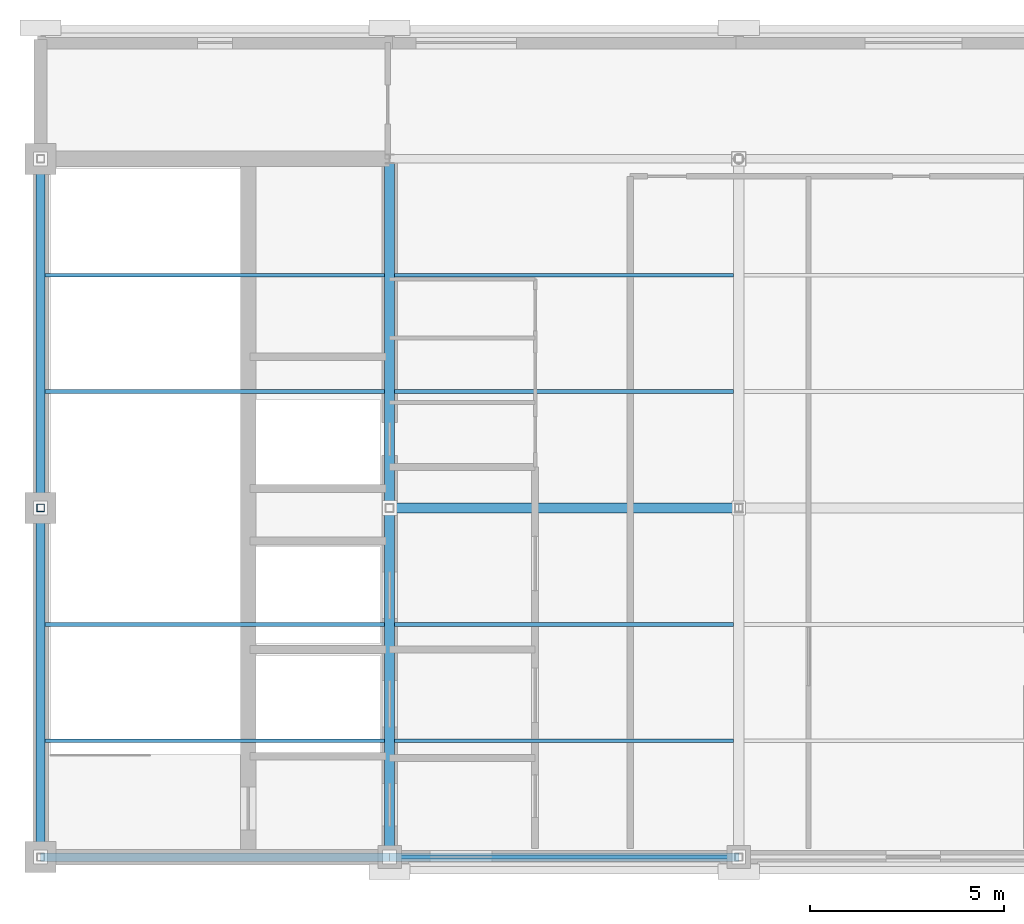
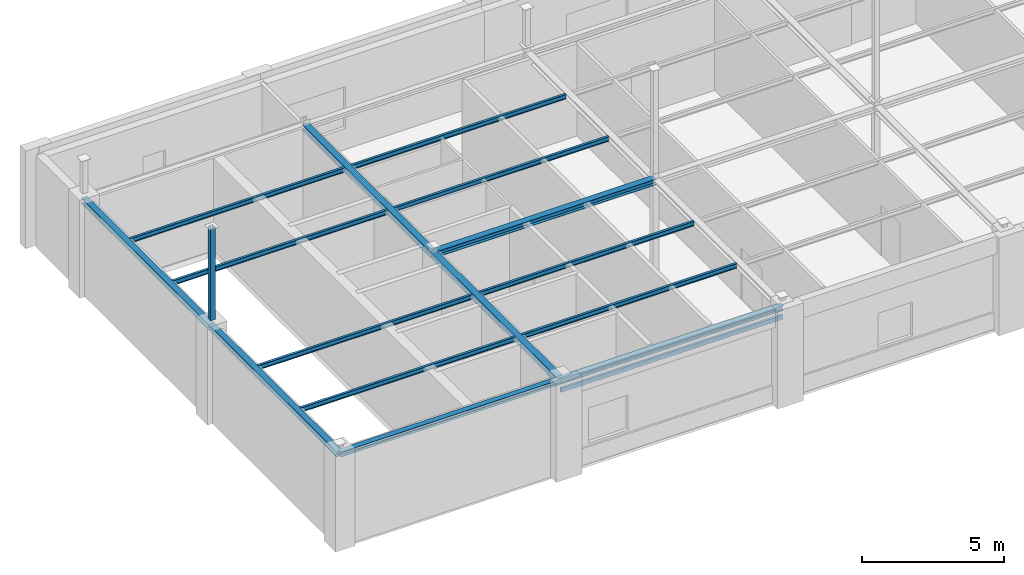
# One storey, part 3 of 13: 15 beams, 2 members.
"""IFC4 building model written with IfcOpenShell, lengths in metres."""

from ifc_helpers import new_model, si_unit, direction, frame, origin, origin_2d, place, context, subcontext, project, spatial, hollow_rectangle, i_section, extrude, material, material_profile, profile_set, type_object, element, save


model = new_model("IFC4")

# Units and contexts
model_context = context("Model", 3, precision=1e-05, world=origin(), true_north=direction((0.0, 1.0)))
body_context = subcontext(model_context, "Body", "Model", "MODEL_VIEW")
ifc_project = project(units=[si_unit("LENGTHUNIT", "METRE"), si_unit("AREAUNIT", "SQUARE_METRE"), si_unit("VOLUMEUNIT", "CUBIC_METRE"), si_unit("PLANEANGLEUNIT", "RADIAN"), si_unit("MASSUNIT", "GRAM", prefix="KILO")], contexts=[model_context])

# Site, building, storey
site_placement = place(None, origin())
site = spatial("IfcSite", under=ifc_project, at=site_placement, CompositionType="ELEMENT")
building_placement = place(site_placement, origin())
building = spatial("IfcBuilding", under=site, at=building_placement, Name="Lykobir Media Centre", CompositionType="ELEMENT")
storey_placement = place(building_placement, frame((0.0, 0.0, 36.0)))
storey = spatial("IfcBuildingStorey", under=building, at=storey_placement, Name="L08", CompositionType="ELEMENT", Elevation=36.0)

# Beams
ifc_material = material(Name="Steel S355", Category="steel")
ifc_material_profile_1 = material_profile(ifc_material, i_section(OverallWidth=0.260009765625, OverallDepth=0.25, WebThickness=0.007568359375, FlangeThickness=0.012451171875, at=origin_2d()), Name="HEA 260")
ifc_profile_set_1 = profile_set([ifc_material_profile_1], Name="Steel S355")
beam_type_1 = type_object("IfcBeamType", Name="BM-HEA260", PredefinedType="BEAM", material=ifc_profile_set_1)
for number, where, z_axis, x_axis, name in (
    (1, (36.0, 9.0, 3.85498046875), (1.0, 0.0, 0.0), (0.0, 1.0, 0.0), "Beam BM-L08-0360-0090-0450-0090-3985"),
    (2, (36.0, 0.0, 3.85498046875), (0.0, 1.0, 0.0), (-1.0, 0.0, 0.0), "Beam BM-L08-0360-0000-0360-0090-3985"),
    (3, (36.0, 9.0, 3.85498046875), (0.0, 1.0, 0.0), (-1.0, 0.0, 0.0), "Beam BM-L08-0360-0090-0360-0180-3985"),
):
    element("IfcBeam", number, at=place(storey_placement, frame(where, z_axis=z_axis, x_axis=x_axis)), inside=storey, type_object=beam_type_1, Name=name, PredefinedType="BEAM", context=body_context, shape_type="SweptSolid", body=[
        extrude(i_section(OverallWidth=0.260009765625, OverallDepth=0.25, WebThickness=0.007568359375, FlangeThickness=0.012451171875, at=origin_2d()), origin(), (0.0, 0.0, 1.0), 9.0),
    ])
ifc_material_profile_2 = material_profile(ifc_material, i_section(OverallWidth=0.10009765625, OverallDepth=0.199951171875, WebThickness=0.005615234375, FlangeThickness=0.008544921875, at=origin_2d()), Name="IPE 200")
ifc_profile_set_2 = profile_set([ifc_material_profile_2], Name="Steel S355")
beam_type_2 = type_object("IfcBeamType", Name="JS-IPE200", PredefinedType="JOIST", material=ifc_profile_set_2)
for number, where, z_axis, x_axis, name in (
    (4, (27.1201171875, 3.0, 3.8798828125), (1.0, 0.0, 0.0), (0.0, 1.0, 0.0), "Beam BM-L08-0271-0030-0359-0030-3988"),
    (5, (27.1201171875, 6.0, 3.8798828125), (1.0, 0.0, 0.0), (0.0, 1.0, 0.0), "Beam BM-L08-0271-0060-0359-0060-3988"),
    (6, (27.1201171875, 12.0, 3.8798828125), (1.0, 0.0, 0.0), (0.0, 1.0, 0.0), "Beam BM-L08-0271-0120-0359-0120-3988"),
    (7, (27.1201171875, 15.0, 3.8798828125), (1.0, 0.0, 0.0), (0.0, 1.0, 0.0), "Beam BM-L08-0271-0150-0359-0150-3988"),
):
    element("IfcBeam", number, at=place(storey_placement, frame(where, z_axis=z_axis, x_axis=x_axis)), inside=storey, type_object=beam_type_2, Name=name, PredefinedType="JOIST", context=body_context, shape_type="SweptSolid", body=[
        extrude(i_section(OverallWidth=0.10009765625, OverallDepth=0.199951171875, WebThickness=0.005615234375, FlangeThickness=0.008544921875, at=origin_2d()), origin(), (0.0, 0.0, 1.0), 8.75),
    ])
for number, where, z_axis, x_axis, name in (
    (8, (36.1298828125, 3.0, 3.8798828125), (1.0, 0.0, 0.0), (0.0, 1.0, 0.0), "Beam BM-L08-0361-0030-0449-0030-3988"),
    (9, (36.1298828125, 6.0, 3.8798828125), (1.0, 0.0, 0.0), (0.0, 1.0, 0.0), "Beam BM-L08-0361-0060-0449-0060-3988"),
    (10, (36.1298828125, 12.0, 3.8798828125), (1.0, 0.0, 0.0), (0.0, 1.0, 0.0), "Beam BM-L08-0361-0120-0449-0120-3988"),
    (11, (36.1298828125, 15.0, 3.8798828125), (1.0, 0.0, 0.0), (0.0, 1.0, 0.0), "Beam BM-L08-0361-0150-0449-0150-3988"),
):
    element("IfcBeam", number, at=place(storey_placement, frame(where, z_axis=z_axis, x_axis=x_axis)), inside=storey, type_object=beam_type_2, Name=name, PredefinedType="JOIST", context=body_context, shape_type="SweptSolid", body=[
        extrude(i_section(OverallWidth=0.10009765625, OverallDepth=0.199951171875, WebThickness=0.005615234375, FlangeThickness=0.008544921875, at=origin_2d()), origin(), (0.0, 0.0, 1.0), 8.740234375),
    ])
ifc_material_profile_3 = material_profile(ifc_material, i_section(OverallWidth=0.219970703125, OverallDepth=0.2099609375, WebThickness=0.007080078125, FlangeThickness=0.010986328125, at=origin_2d()), Name="HEA 220")
ifc_profile_set_3 = profile_set([ifc_material_profile_3], Name="Steel S355")
beam_type_3 = type_object("IfcBeamType", Name="SP-HEA220-E", PredefinedType="SPANDREL", material=ifc_profile_set_3)
for number, where, z_axis, x_axis, name in (
    (12, (27.0, 0.0, 3.875), (1.0, 0.0, 0.0), (0.0, 1.0, 0.0), "Beam BM-L08-0270-0000-0360-0000-3988"),
    (13, (36.0, 0.0, 3.875), (1.0, 0.0, 0.0), (0.0, 1.0, 0.0), "Beam BM-L08-0360-0000-0450-0000-3988"),
):
    element("IfcBeam", number, at=place(storey_placement, frame(where, z_axis=z_axis, x_axis=x_axis)), inside=storey, type_object=beam_type_3, Name=name, PredefinedType="SPANDREL", context=body_context, shape_type="SweptSolid", body=[
        extrude(i_section(OverallWidth=0.219970703125, OverallDepth=0.2099609375, WebThickness=0.007080078125, FlangeThickness=0.010986328125, at=origin_2d()), origin(), (0.0, 0.0, 1.0), 9.0),
    ])
ifc_material_profile_4 = material_profile(ifc_material, i_section(OverallWidth=0.239990234375, OverallDepth=0.22998046875, WebThickness=0.007568359375, FlangeThickness=0.011962890625, at=origin_2d()), Name="HEA 240")
ifc_profile_set_4 = profile_set([ifc_material_profile_4], Name="Steel S355")
beam_type_4 = type_object("IfcBeamType", Name="SP-HEA240", PredefinedType="SPANDREL", material=ifc_profile_set_4)
for number, where, z_axis, x_axis, name in (
    (14, (27.0, 0.0, 3.864990234375), (0.0, 1.0, 0.0), (-1.0, 0.0, 0.0), "Beam BM-L08-0270-0000-0270-0090-3986"),
    (15, (27.0, 9.0, 3.864990234375), (0.0, 1.0, 0.0), (-1.0, 0.0, 0.0), "Beam BM-L08-0270-0090-0270-0180-3986"),
):
    element("IfcBeam", number, at=place(storey_placement, frame(where, z_axis=z_axis, x_axis=x_axis)), inside=storey, type_object=beam_type_4, Name=name, PredefinedType="SPANDREL", context=body_context, shape_type="SweptSolid", body=[
        extrude(i_section(OverallWidth=0.239990234375, OverallDepth=0.22998046875, WebThickness=0.007568359375, FlangeThickness=0.011962890625, at=origin_2d()), origin(), (0.0, 0.0, 1.0), 9.0),
    ])

# Members
ifc_material_profile_5 = material_profile(ifc_material, hollow_rectangle(XDim=0.10009765625, YDim=0.179931640625, WallThickness=0.008056640625, at=origin_2d()), Name="RHS 180x100x8")
ifc_profile_set_5 = profile_set([ifc_material_profile_5], Name="Steel S355")
member_type_1 = type_object("IfcMemberType", Name="TC-RHS180-E", PredefinedType="CHORD", material=ifc_profile_set_5)
member_1_placement = place(storey_placement, frame((36.0, 0.0, 3.449951171875), z_axis=(1.0, 0.0, 0.0), x_axis=(0.0, 1.0, 0.0)))
element("IfcMember", 16, at=member_1_placement, inside=storey, type_object=member_type_1, Name="Truss chord MEM2-L08-0360-0000-0394-0450-0000-0509", PredefinedType="CHORD", context=body_context, shape_type="SweptSolid", body=[
    extrude(hollow_rectangle(XDim=0.10009765625, YDim=0.179931640625, WallThickness=0.008056640625, at=origin_2d()), origin(), (0.0, 0.0, 1.0), 9.0),
])
ifc_material_profile_6 = material_profile(ifc_material, hollow_rectangle(XDim=0.199951171875, YDim=0.199951171875, WallThickness=0.010009765625, at=origin_2d()), Name="SHS 200x200x10")
ifc_profile_set_6 = profile_set([ifc_material_profile_6], Name="Steel S355")
member_type_2 = type_object("IfcMemberType", Name="TC-SHS200", PredefinedType="CHORD", material=ifc_profile_set_6)
member_2_placement = place(storey_placement, frame((27.0, 9.0, 4.199951171875), z_axis=(0.0, 0.0, 1.0), x_axis=(1.0, 0.0, 0.0)))
element("IfcMember", 17, at=member_2_placement, inside=storey, type_object=member_type_2, Name="Truss chord MEM2-L08-0270-0090-0402-0270-0090-0044", PredefinedType="CHORD", context=body_context, shape_type="SweptSolid", body=[
    extrude(hollow_rectangle(XDim=0.199951171875, YDim=0.199951171875, WallThickness=0.010009765625, at=origin_2d()), origin(), (0.0, 0.0, 1.0), 3.97509765625),
])

save(model, "model.ifc")
